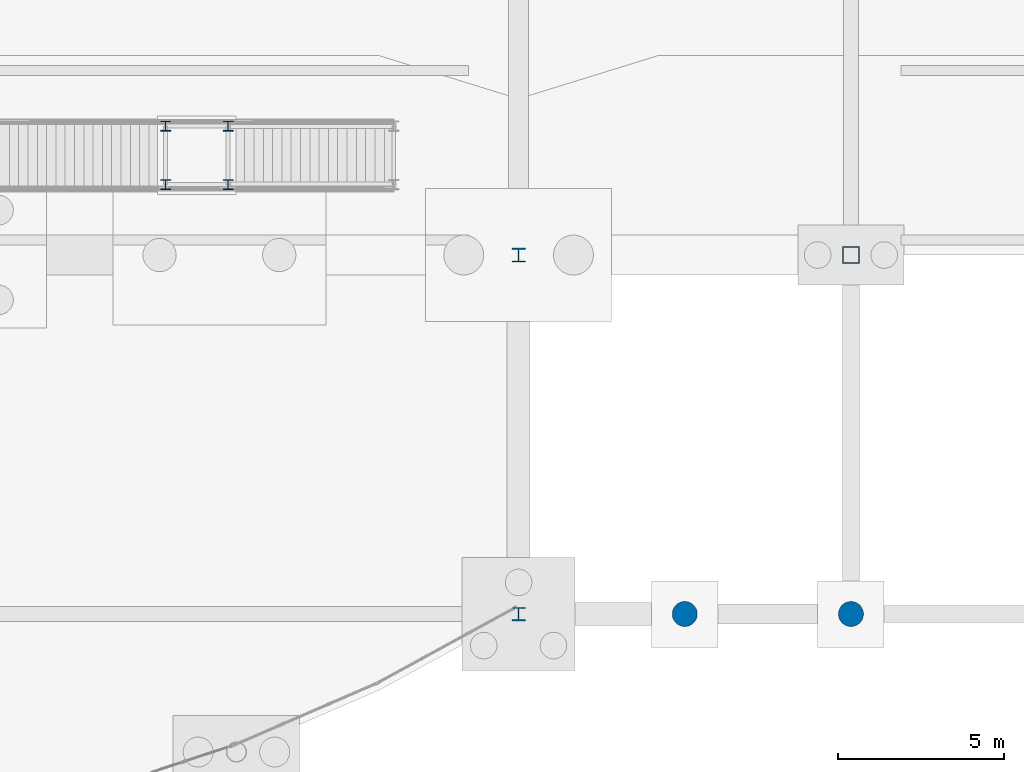
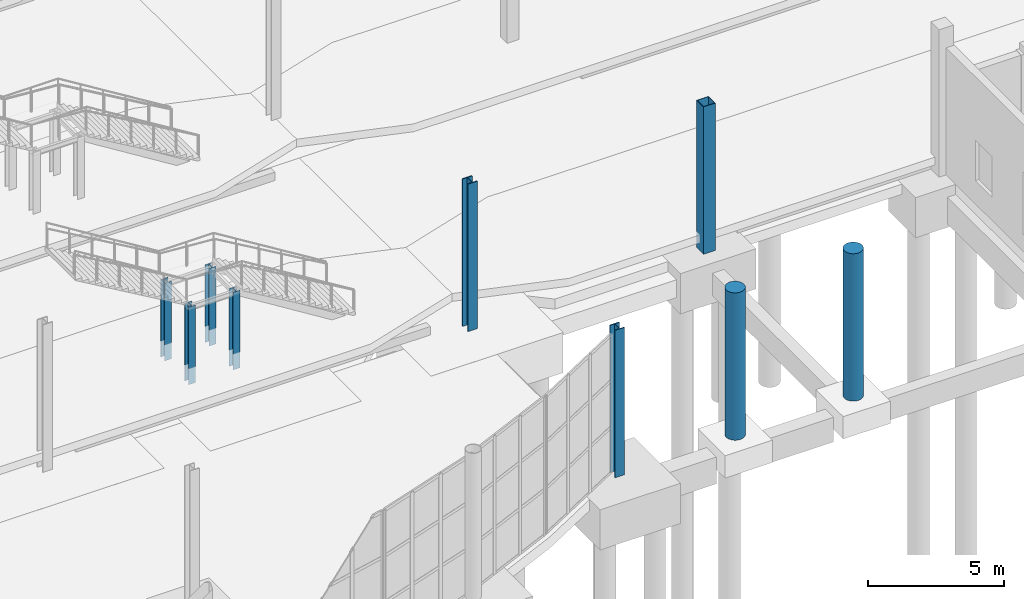
# One storey, part 14 of 115: 9 columns.
"""IFC4 building model written with IfcOpenShell, lengths in metres."""

from ifc_helpers import new_model, si_unit, direction, frame, origin, origin_2d, place, context, subcontext, project, spatial, hollow_rectangle, circle, i_section, extrude, material, material_profile, profile_set, type_object, element, save


model = new_model("IFC4")

# Units and contexts
model_context = context("Model", 3, precision=1e-05, world=origin(), true_north=direction((0.0, 1.0)))
body_context = subcontext(model_context, "Body", "Model", "MODEL_VIEW")
ifc_project = project(units=[si_unit("LENGTHUNIT", "METRE"), si_unit("AREAUNIT", "SQUARE_METRE"), si_unit("VOLUMEUNIT", "CUBIC_METRE"), si_unit("PLANEANGLEUNIT", "RADIAN"), si_unit("MASSUNIT", "GRAM", prefix="KILO")], contexts=[model_context])

# Site, building, storey
site_placement = place(None, origin())
site = spatial("IfcSite", under=ifc_project, at=site_placement, CompositionType="ELEMENT")
building_placement = place(site_placement, origin())
building = spatial("IfcBuilding", under=site, at=building_placement, Name="Tamarisk Ironworks Central Station", CompositionType="ELEMENT")
storey_placement = place(building_placement, origin())
storey = spatial("IfcBuildingStorey", under=building, at=storey_placement, Name="L00", CompositionType="ELEMENT", Elevation=0.0)

# Columns
ifc_material_1 = material(Name="Concrete C50/60", Category="concrete")
ifc_material_profile_1 = material_profile(ifc_material_1, circle(Radius=0.375, at=origin_2d()), Name="RC D750")
ifc_profile_set_1 = profile_set([ifc_material_profile_1], Name="Concrete C50/60")
column_type_1 = type_object("IfcColumnType", Name="COL-RC05", PredefinedType="COLUMN", material=ifc_profile_set_1)
for number, where, z_axis, x_axis, name in (
    (1, (113.0, 10.800048828125, 0.0), (0.0, 0.0, 1.0), (1.0, 0.0, 0.0), "L00 column CN-S2"),
    (2, (118.0, 10.800048828125, 0.0), (0.0, 0.0, 1.0), (1.0, 0.0, 0.0), "L00 column CN-S3"),
):
    element("IfcColumn", number, at=place(storey_placement, frame(where, z_axis=z_axis, x_axis=x_axis)), inside=storey, type_object=column_type_1, Name=name, PredefinedType="COLUMN", context=body_context, shape_type="SweptSolid", body=[
        extrude(circle(Radius=0.375, at=origin_2d()), origin(), (0.0, 0.0, 1.0), 6.60009765625),
    ])
ifc_material_2 = material(Name="Structural steel S355J2", Category="steel")
ifc_material_profile_2 = material_profile(ifc_material_2, i_section(OverallWidth=0.408935546875, OverallDepth=0.425048828125, WebThickness=0.02490234375, FlangeThickness=0.0390625, at=origin_2d()), Name="HD 400x421")
ifc_profile_set_2 = profile_set([ifc_material_profile_2], Name="Structural steel S355J2")
column_type_2 = type_object("IfcColumnType", Name="COL-S01", PredefinedType="COLUMN", material=ifc_profile_set_2)
column_1_placement = place(storey_placement, frame((108.0, 21.60009765625, 0.0), z_axis=(0.0, 0.0, 1.0), x_axis=(1.0, 0.0, 0.0)))
element("IfcColumn", 3, at=column_1_placement, inside=storey, type_object=column_type_2, Name="L00 column V2-14C", PredefinedType="COLUMN", context=body_context, shape_type="SweptSolid", body=[
    extrude(i_section(OverallWidth=0.408935546875, OverallDepth=0.425048828125, WebThickness=0.02490234375, FlangeThickness=0.0390625, at=origin_2d()), origin(), (0.0, 0.0, 1.0), 6.60009765625),
])
ifc_material_profile_3 = material_profile(ifc_material_2, i_section(OverallWidth=0.404052734375, OverallDepth=0.406982421875, WebThickness=0.020751953125, FlangeThickness=0.031982421875, at=origin_2d()), Name="HD 400x347")
ifc_profile_set_3 = profile_set([ifc_material_profile_3], Name="Structural steel S355J2")
column_type_3 = type_object("IfcColumnType", Name="COL-S03", PredefinedType="COLUMN", material=ifc_profile_set_3)
column_2_placement = place(storey_placement, frame((108.0, 10.800048828125, 0.0), z_axis=(0.0, 0.0, 1.0), x_axis=(1.0, 0.0, 0.0)))
element("IfcColumn", 4, at=column_2_placement, inside=storey, type_object=column_type_3, Name="L00 column V2-14B", PredefinedType="COLUMN", context=body_context, shape_type="SweptSolid", body=[
    extrude(i_section(OverallWidth=0.404052734375, OverallDepth=0.406982421875, WebThickness=0.020751953125, FlangeThickness=0.031982421875, at=origin_2d()), origin(), (0.0, 0.0, 1.0), 6.60009765625),
])
ifc_material_profile_4 = material_profile(ifc_material_2, i_section(OverallWidth=0.300048828125, OverallDepth=0.300048828125, WebThickness=0.010986328125, FlangeThickness=0.01904296875, at=origin_2d()), Name="HEB 300")
ifc_profile_set_4 = profile_set([ifc_material_profile_4], Name="Structural steel S355J2")
column_type_4 = type_object("IfcColumnType", Name="COL-S12", PredefinedType="COLUMN", material=ifc_profile_set_4)
for number, where, z_axis, x_axis, name in (
    (5, (97.3798828125, 23.719970703125, 0.0), (0.0, 0.0, 1.0), (1.0, 0.0, 0.0), "ST-P1B mid-landing support column 1"),
    (6, (99.260009765625, 23.719970703125, 0.0), (0.0, 0.0, 1.0), (1.0, 0.0, 0.0), "ST-P1B mid-landing support column 2"),
    (7, (97.3798828125, 25.47998046875, 0.0), (0.0, 0.0, 1.0), (1.0, 0.0, 0.0), "ST-P1B mid-landing support column 3"),
    (8, (99.260009765625, 25.47998046875, 0.0), (0.0, 0.0, 1.0), (1.0, 0.0, 0.0), "ST-P1B mid-landing support column 4"),
):
    element("IfcColumn", number, at=place(storey_placement, frame(where, z_axis=z_axis, x_axis=x_axis)), inside=storey, type_object=column_type_4, Name=name, PredefinedType="COLUMN", context=body_context, shape_type="SweptSolid", body=[
        extrude(i_section(OverallWidth=0.300048828125, OverallDepth=0.300048828125, WebThickness=0.010986328125, FlangeThickness=0.01904296875, at=origin_2d()), origin(), (0.0, 0.0, 1.0), 3.469970703125),
    ])
ifc_material_3 = material(Name="Structural steel S355J2H", Category="steel")
ifc_material_profile_5 = material_profile(ifc_material_3, hollow_rectangle(XDim=0.5, YDim=0.5, WallThickness=0.02001953125, at=origin_2d()), Name="SHS 500x500x20")
ifc_profile_set_5 = profile_set([ifc_material_profile_5], Name="Structural steel S355J2H")
column_type_5 = type_object("IfcColumnType", Name="COL-S13", PredefinedType="COLUMN", material=ifc_profile_set_5)
column_3_placement = place(storey_placement, frame((118.0, 21.60009765625, 0.0), z_axis=(0.0, 0.0, 1.0), x_axis=(1.0, 0.0, 0.0)))
element("IfcColumn", 9, at=column_3_placement, inside=storey, type_object=column_type_5, Name="L00 column V1-15C", PredefinedType="COLUMN", context=body_context, shape_type="SweptSolid", body=[
    extrude(hollow_rectangle(XDim=0.5, YDim=0.5, WallThickness=0.02001953125, at=origin_2d()), origin(), (0.0, 0.0, 1.0), 6.60009765625),
])

save(model, "model.ifc")
